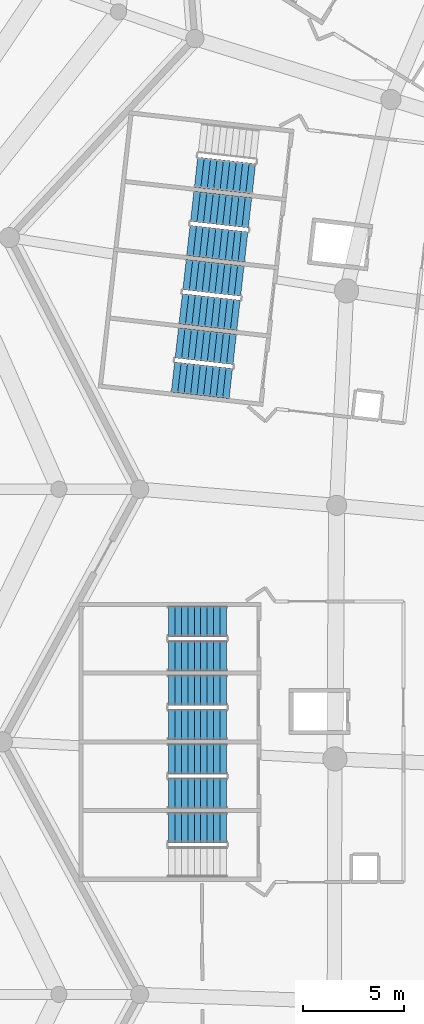
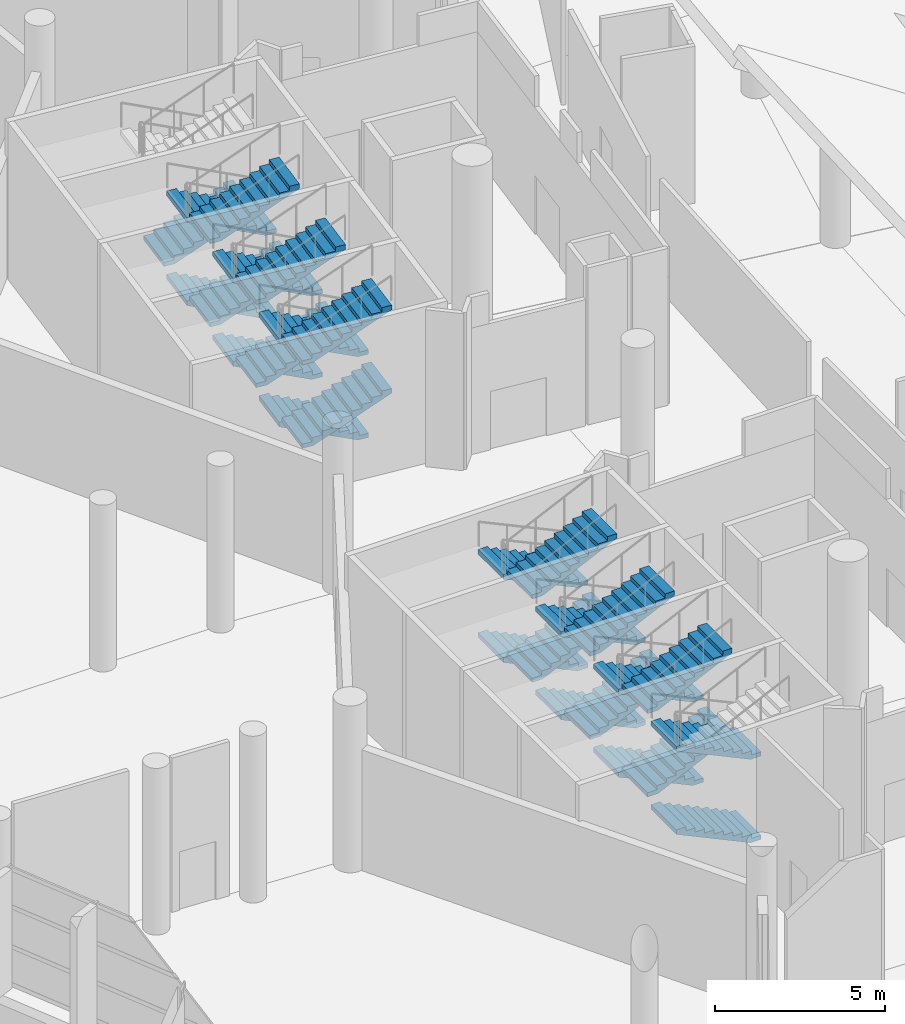
# One storey, part 191 of 249: 27 stair flights, 8 elements without a shape of their own.
"""IFC4 building model written with IfcOpenShell, lengths in metres."""

from ifc_helpers import new_model, si_unit, direction, frame, origin, place, context, subcontext, project, spatial, polyline, outline, extrude, material, type_object, element, aggregate, save


model = new_model("IFC4")

# Units and contexts
model_context = context("Model", 3, precision=1e-05, world=origin(), true_north=direction((0.0, 1.0)))
body_context = subcontext(model_context, "Body", "Model", "MODEL_VIEW")
ifc_project = project(units=[si_unit("LENGTHUNIT", "METRE"), si_unit("AREAUNIT", "SQUARE_METRE"), si_unit("VOLUMEUNIT", "CUBIC_METRE"), si_unit("PLANEANGLEUNIT", "RADIAN"), si_unit("MASSUNIT", "GRAM", prefix="KILO")], contexts=[model_context])

# Site, building, storey
site_placement = place(None, origin())
site = spatial("IfcSite", under=ifc_project, at=site_placement, CompositionType="ELEMENT")
building_placement = place(site_placement, origin())
building = spatial("IfcBuilding", under=site, at=building_placement, Name="Meseta Stadium", CompositionType="ELEMENT")
storey_placement = place(building_placement, frame((0.0, 0.0, 12.0)))
storey = spatial("IfcBuildingStorey", under=building, at=storey_placement, Name="L02", CompositionType="ELEMENT", Elevation=12.0)

# Stair, stair flight
ifc_material_1 = material(Name="Concrete C40/50", Category="concrete")
stair_type = type_object("IfcStairType", Name="Exit stair 4 flights 150 mm risers", PredefinedType="HALF_TURN_STAIR", material=ifc_material_1)
stair_1_placement = place(storey_placement, origin())
stair_1 = element("IfcStair", 1, at=stair_1_placement, inside=storey, type_object=stair_type, Name="ST57 L02", PredefinedType="HALF_TURN_STAIR")
ifc_material_2 = material(Name="Concrete C40/50", Category="concrete")
stair_flight_type = type_object("IfcStairFlightType", Name="Exit stair flight 150 mm risers, 4 per storey", PredefinedType="STRAIGHT", material=ifc_material_2)
stair_flight_1_placement = place(storey_placement, frame((-91.811279296875, 59.4384765625, 1.5), z_axis=(0.0, 0.0, 1.0), x_axis=(0.993712210731, -0.11196446867, 0.0)))
stair_flight_1 = element("IfcStairFlight", 2, at=stair_flight_1_placement, type_object=stair_flight_type, Name="ST57 L02 flight 2", NumberOfRisers=10, NumberOfTreads=9, PredefinedType="STRAIGHT", RiserHeight=0.15, TreadLength=0.32, context=body_context, shape_type="SweptSolid", body=[
    extrude(outline(polyline([(0.0, 0.0), (0.0, 0.14990234375), (0.320068359375, 0.14990234375), (0.320068359375, 0.300048828125), (0.639892578125, 0.300048828125), (0.639892578125, 0.449951171875), (0.9599609375, 0.449951171875), (0.9599609375, 0.60009765625), (1.280029296875, 0.60009765625), (1.280029296875, 0.75), (1.60009765625, 0.75), (1.60009765625, 0.89990234375), (1.919921875, 0.89990234375), (1.919921875, 1.050048828125), (2.239990234375, 1.050048828125), (2.239990234375, 1.199951171875), (2.56005859375, 1.199951171875), (2.56005859375, 1.35009765625), (2.8798828125, 1.35009765625), (2.8798828125, 1.184326171875), (0.353271484375, 0.0), (0.0, 0.0)])), frame((0.0, 0.75, 0.0), z_axis=(0.0, -1.0, 0.0), x_axis=(1.0, 0.0, 0.0)), (0.0, 0.0, 1.0), 1.5),
])
aggregate(stair_1, [stair_flight_1])

# Stair, stair flights
stair_2_placement = place(storey_placement, origin())
stair_2 = element("IfcStair", 3, at=stair_2_placement, inside=storey, type_object=stair_type, Name="ST58 L02", PredefinedType="HALF_TURN_STAIR")
stair_flight_2_placement = place(storey_placement, frame((-89.1396484375, 57.4267578125, 0.0), z_axis=(0.0, 0.0, 1.0), x_axis=(-0.993712210731, 0.11196446867, 0.0)))
stair_flight_2 = element("IfcStairFlight", 4, at=stair_flight_2_placement, type_object=stair_flight_type, Name="ST58 L02 flight 1", NumberOfRisers=10, NumberOfTreads=9, PredefinedType="STRAIGHT", RiserHeight=0.15, TreadLength=0.32, context=body_context, shape_type="SweptSolid", body=[
    extrude(outline(polyline([(0.0, 0.0), (0.0, 0.14990234375), (0.320068359375, 0.14990234375), (0.320068359375, 0.300048828125), (0.639892578125, 0.300048828125), (0.639892578125, 0.449951171875), (0.9599609375, 0.449951171875), (0.9599609375, 0.60009765625), (1.280029296875, 0.60009765625), (1.280029296875, 0.75), (1.60009765625, 0.75), (1.60009765625, 0.89990234375), (1.919921875, 0.89990234375), (1.919921875, 1.050048828125), (2.239990234375, 1.050048828125), (2.239990234375, 1.199951171875), (2.56005859375, 1.199951171875), (2.56005859375, 1.35009765625), (2.8798828125, 1.35009765625), (2.8798828125, 1.184326171875), (0.353271484375, 0.0), (0.0, 0.0)])), frame((0.0, 0.75, 0.0), z_axis=(0.0, -1.0, 0.0), x_axis=(1.0, 0.0, 0.0)), (0.0, 0.0, 1.0), 1.5),
])
stair_flight_3_placement = place(storey_placement, frame((-92.19189453125, 56.06005859375, 1.5), z_axis=(0.0, 0.0, 1.0), x_axis=(0.993712210731, -0.11196446867, 0.0)))
stair_flight_3 = element("IfcStairFlight", 5, at=stair_flight_3_placement, type_object=stair_flight_type, Name="ST58 L02 flight 2", NumberOfRisers=10, NumberOfTreads=9, PredefinedType="STRAIGHT", RiserHeight=0.15, TreadLength=0.32, context=body_context, shape_type="SweptSolid", body=[
    extrude(outline(polyline([(0.0, 0.0), (0.0, 0.14990234375), (0.320068359375, 0.14990234375), (0.320068359375, 0.300048828125), (0.639892578125, 0.300048828125), (0.639892578125, 0.449951171875), (0.9599609375, 0.449951171875), (0.9599609375, 0.60009765625), (1.280029296875, 0.60009765625), (1.280029296875, 0.75), (1.60009765625, 0.75), (1.60009765625, 0.89990234375), (1.919921875, 0.89990234375), (1.919921875, 1.050048828125), (2.239990234375, 1.050048828125), (2.239990234375, 1.199951171875), (2.56005859375, 1.199951171875), (2.56005859375, 1.35009765625), (2.8798828125, 1.35009765625), (2.8798828125, 1.184326171875), (0.353271484375, 0.0), (0.0, 0.0)])), frame((0.0, 0.75, 0.0), z_axis=(0.0, -1.0, 0.0), x_axis=(1.0, 0.0, 0.0)), (0.0, 0.0, 1.0), 1.5),
])
stair_flight_4_placement = place(storey_placement, frame((-89.1396484375, 57.4267578125, 3.0), z_axis=(0.0, 0.0, 1.0), x_axis=(-0.993712210731, 0.11196446867, 0.0)))
stair_flight_4 = element("IfcStairFlight", 6, at=stair_flight_4_placement, type_object=stair_flight_type, Name="ST58 L02 flight 3", NumberOfRisers=10, NumberOfTreads=9, PredefinedType="STRAIGHT", RiserHeight=0.15, TreadLength=0.32, context=body_context, shape_type="SweptSolid", body=[
    extrude(outline(polyline([(0.0, 0.0), (0.0, 0.14990234375), (0.320068359375, 0.14990234375), (0.320068359375, 0.300048828125), (0.639892578125, 0.300048828125), (0.639892578125, 0.449951171875), (0.9599609375, 0.449951171875), (0.9599609375, 0.60009765625), (1.280029296875, 0.60009765625), (1.280029296875, 0.75), (1.60009765625, 0.75), (1.60009765625, 0.89990234375), (1.919921875, 0.89990234375), (1.919921875, 1.050048828125), (2.239990234375, 1.050048828125), (2.239990234375, 1.199951171875), (2.56005859375, 1.199951171875), (2.56005859375, 1.35009765625), (2.8798828125, 1.35009765625), (2.8798828125, 1.184326171875), (0.353271484375, 0.0), (0.0, 0.0)])), frame((0.0, 0.75, 0.0), z_axis=(0.0, -1.0, 0.0), x_axis=(1.0, 0.0, 0.0)), (0.0, 0.0, 1.0), 1.5),
])
stair_flight_5_placement = place(storey_placement, frame((-92.19189453125, 56.06005859375, 4.5), z_axis=(0.0, 0.0, 1.0), x_axis=(0.993712210731, -0.11196446867, 0.0)))
stair_flight_5 = element("IfcStairFlight", 7, at=stair_flight_5_placement, type_object=stair_flight_type, Name="ST58 L02 flight 4", NumberOfRisers=10, NumberOfTreads=9, PredefinedType="STRAIGHT", RiserHeight=0.15, TreadLength=0.32, context=body_context, shape_type="SweptSolid", body=[
    extrude(outline(polyline([(0.0, 0.0), (0.0, 0.14990234375), (0.320068359375, 0.14990234375), (0.320068359375, 0.300048828125), (0.639892578125, 0.300048828125), (0.639892578125, 0.449951171875), (0.9599609375, 0.449951171875), (0.9599609375, 0.60009765625), (1.280029296875, 0.60009765625), (1.280029296875, 0.75), (1.60009765625, 0.75), (1.60009765625, 0.89990234375), (1.919921875, 0.89990234375), (1.919921875, 1.050048828125), (2.239990234375, 1.050048828125), (2.239990234375, 1.199951171875), (2.56005859375, 1.199951171875), (2.56005859375, 1.35009765625), (2.8798828125, 1.35009765625), (2.8798828125, 1.184326171875), (0.353271484375, 0.0), (0.0, 0.0)])), frame((0.0, 0.75, 0.0), z_axis=(0.0, -1.0, 0.0), x_axis=(1.0, 0.0, 0.0)), (0.0, 0.0, 1.0), 1.5),
])
aggregate(stair_2, [stair_flight_2, stair_flight_3, stair_flight_4, stair_flight_5])

stair_3_placement = place(storey_placement, origin())
stair_3 = element("IfcStair", 8, at=stair_3_placement, inside=storey, type_object=stair_type, Name="ST59 L02", PredefinedType="HALF_TURN_STAIR")
stair_flight_6_placement = place(storey_placement, frame((-89.5205078125, 54.048095703125, 0.0), z_axis=(0.0, 0.0, 1.0), x_axis=(-0.993712210731, 0.11196446867, 0.0)))
stair_flight_6 = element("IfcStairFlight", 9, at=stair_flight_6_placement, type_object=stair_flight_type, Name="ST59 L02 flight 1", NumberOfRisers=10, NumberOfTreads=9, PredefinedType="STRAIGHT", RiserHeight=0.15, TreadLength=0.32, context=body_context, shape_type="SweptSolid", body=[
    extrude(outline(polyline([(0.0, 0.0), (0.0, 0.14990234375), (0.320068359375, 0.14990234375), (0.320068359375, 0.300048828125), (0.639892578125, 0.300048828125), (0.639892578125, 0.449951171875), (0.9599609375, 0.449951171875), (0.9599609375, 0.60009765625), (1.280029296875, 0.60009765625), (1.280029296875, 0.75), (1.60009765625, 0.75), (1.60009765625, 0.89990234375), (1.919921875, 0.89990234375), (1.919921875, 1.050048828125), (2.239990234375, 1.050048828125), (2.239990234375, 1.199951171875), (2.56005859375, 1.199951171875), (2.56005859375, 1.35009765625), (2.8798828125, 1.35009765625), (2.8798828125, 1.184326171875), (0.353271484375, 0.0), (0.0, 0.0)])), frame((0.0, 0.75, 0.0), z_axis=(0.0, -1.0, 0.0), x_axis=(1.0, 0.0, 0.0)), (0.0, 0.0, 1.0), 1.5),
])
stair_flight_7_placement = place(storey_placement, frame((-92.572509765625, 52.681396484375, 1.5), z_axis=(0.0, 0.0, 1.0), x_axis=(0.993712210731, -0.11196446867, 0.0)))
stair_flight_7 = element("IfcStairFlight", 10, at=stair_flight_7_placement, type_object=stair_flight_type, Name="ST59 L02 flight 2", NumberOfRisers=10, NumberOfTreads=9, PredefinedType="STRAIGHT", RiserHeight=0.15, TreadLength=0.32, context=body_context, shape_type="SweptSolid", body=[
    extrude(outline(polyline([(0.0, 0.0), (0.0, 0.14990234375), (0.320068359375, 0.14990234375), (0.320068359375, 0.300048828125), (0.639892578125, 0.300048828125), (0.639892578125, 0.449951171875), (0.9599609375, 0.449951171875), (0.9599609375, 0.60009765625), (1.280029296875, 0.60009765625), (1.280029296875, 0.75), (1.60009765625, 0.75), (1.60009765625, 0.89990234375), (1.919921875, 0.89990234375), (1.919921875, 1.050048828125), (2.239990234375, 1.050048828125), (2.239990234375, 1.199951171875), (2.56005859375, 1.199951171875), (2.56005859375, 1.35009765625), (2.8798828125, 1.35009765625), (2.8798828125, 1.184326171875), (0.353271484375, 0.0), (0.0, 0.0)])), frame((0.0, 0.75, 0.0), z_axis=(0.0, -1.0, 0.0), x_axis=(1.0, 0.0, 0.0)), (0.0, 0.0, 1.0), 1.5),
])
stair_flight_8_placement = place(storey_placement, frame((-89.5205078125, 54.048095703125, 3.0), z_axis=(0.0, 0.0, 1.0), x_axis=(-0.993712210731, 0.11196446867, 0.0)))
stair_flight_8 = element("IfcStairFlight", 11, at=stair_flight_8_placement, type_object=stair_flight_type, Name="ST59 L02 flight 3", NumberOfRisers=10, NumberOfTreads=9, PredefinedType="STRAIGHT", RiserHeight=0.15, TreadLength=0.32, context=body_context, shape_type="SweptSolid", body=[
    extrude(outline(polyline([(0.0, 0.0), (0.0, 0.14990234375), (0.320068359375, 0.14990234375), (0.320068359375, 0.300048828125), (0.639892578125, 0.300048828125), (0.639892578125, 0.449951171875), (0.9599609375, 0.449951171875), (0.9599609375, 0.60009765625), (1.280029296875, 0.60009765625), (1.280029296875, 0.75), (1.60009765625, 0.75), (1.60009765625, 0.89990234375), (1.919921875, 0.89990234375), (1.919921875, 1.050048828125), (2.239990234375, 1.050048828125), (2.239990234375, 1.199951171875), (2.56005859375, 1.199951171875), (2.56005859375, 1.35009765625), (2.8798828125, 1.35009765625), (2.8798828125, 1.184326171875), (0.353271484375, 0.0), (0.0, 0.0)])), frame((0.0, 0.75, 0.0), z_axis=(0.0, -1.0, 0.0), x_axis=(1.0, 0.0, 0.0)), (0.0, 0.0, 1.0), 1.5),
])
stair_flight_9_placement = place(storey_placement, frame((-92.572509765625, 52.681396484375, 4.5), z_axis=(0.0, 0.0, 1.0), x_axis=(0.993712210731, -0.11196446867, 0.0)))
stair_flight_9 = element("IfcStairFlight", 12, at=stair_flight_9_placement, type_object=stair_flight_type, Name="ST59 L02 flight 4", NumberOfRisers=10, NumberOfTreads=9, PredefinedType="STRAIGHT", RiserHeight=0.15, TreadLength=0.32, context=body_context, shape_type="SweptSolid", body=[
    extrude(outline(polyline([(0.0, 0.0), (0.0, 0.14990234375), (0.320068359375, 0.14990234375), (0.320068359375, 0.300048828125), (0.639892578125, 0.300048828125), (0.639892578125, 0.449951171875), (0.9599609375, 0.449951171875), (0.9599609375, 0.60009765625), (1.280029296875, 0.60009765625), (1.280029296875, 0.75), (1.60009765625, 0.75), (1.60009765625, 0.89990234375), (1.919921875, 0.89990234375), (1.919921875, 1.050048828125), (2.239990234375, 1.050048828125), (2.239990234375, 1.199951171875), (2.56005859375, 1.199951171875), (2.56005859375, 1.35009765625), (2.8798828125, 1.35009765625), (2.8798828125, 1.184326171875), (0.353271484375, 0.0), (0.0, 0.0)])), frame((0.0, 0.75, 0.0), z_axis=(0.0, -1.0, 0.0), x_axis=(1.0, 0.0, 0.0)), (0.0, 0.0, 1.0), 1.5),
])
aggregate(stair_3, [stair_flight_6, stair_flight_7, stair_flight_8, stair_flight_9])

stair_4_placement = place(storey_placement, origin())
stair_4 = element("IfcStair", 13, at=stair_4_placement, inside=storey, type_object=stair_type, Name="ST60 L02", PredefinedType="HALF_TURN_STAIR")
stair_flight_10_placement = place(storey_placement, frame((-89.901123046875, 50.669677734375, 0.0), z_axis=(0.0, 0.0, 1.0), x_axis=(-0.993712210731, 0.11196446867, 0.0)))
stair_flight_10 = element("IfcStairFlight", 14, at=stair_flight_10_placement, type_object=stair_flight_type, Name="ST60 L02 flight 1", NumberOfRisers=10, NumberOfTreads=9, PredefinedType="STRAIGHT", RiserHeight=0.15, TreadLength=0.32, context=body_context, shape_type="SweptSolid", body=[
    extrude(outline(polyline([(0.0, 0.0), (0.0, 0.14990234375), (0.320068359375, 0.14990234375), (0.320068359375, 0.300048828125), (0.639892578125, 0.300048828125), (0.639892578125, 0.449951171875), (0.9599609375, 0.449951171875), (0.9599609375, 0.60009765625), (1.280029296875, 0.60009765625), (1.280029296875, 0.75), (1.60009765625, 0.75), (1.60009765625, 0.89990234375), (1.919921875, 0.89990234375), (1.919921875, 1.050048828125), (2.239990234375, 1.050048828125), (2.239990234375, 1.199951171875), (2.56005859375, 1.199951171875), (2.56005859375, 1.35009765625), (2.8798828125, 1.35009765625), (2.8798828125, 1.184326171875), (0.353271484375, 0.0), (0.0, 0.0)])), frame((0.0, 0.75, 0.0), z_axis=(0.0, -1.0, 0.0), x_axis=(1.0, 0.0, 0.0)), (0.0, 0.0, 1.0), 1.5),
])
stair_flight_11_placement = place(storey_placement, frame((-92.953369140625, 49.302734375, 1.5), z_axis=(0.0, 0.0, 1.0), x_axis=(0.993712210731, -0.11196446867, 0.0)))
stair_flight_11 = element("IfcStairFlight", 15, at=stair_flight_11_placement, type_object=stair_flight_type, Name="ST60 L02 flight 2", NumberOfRisers=10, NumberOfTreads=9, PredefinedType="STRAIGHT", RiserHeight=0.15, TreadLength=0.32, context=body_context, shape_type="SweptSolid", body=[
    extrude(outline(polyline([(0.0, 0.0), (0.0, 0.14990234375), (0.320068359375, 0.14990234375), (0.320068359375, 0.300048828125), (0.639892578125, 0.300048828125), (0.639892578125, 0.449951171875), (0.9599609375, 0.449951171875), (0.9599609375, 0.60009765625), (1.280029296875, 0.60009765625), (1.280029296875, 0.75), (1.60009765625, 0.75), (1.60009765625, 0.89990234375), (1.919921875, 0.89990234375), (1.919921875, 1.050048828125), (2.239990234375, 1.050048828125), (2.239990234375, 1.199951171875), (2.56005859375, 1.199951171875), (2.56005859375, 1.35009765625), (2.8798828125, 1.35009765625), (2.8798828125, 1.184326171875), (0.353271484375, 0.0), (0.0, 0.0)])), frame((0.0, 0.75, 0.0), z_axis=(0.0, -1.0, 0.0), x_axis=(1.0, 0.0, 0.0)), (0.0, 0.0, 1.0), 1.5),
])
stair_flight_12_placement = place(storey_placement, frame((-89.901123046875, 50.669677734375, 3.0), z_axis=(0.0, 0.0, 1.0), x_axis=(-0.993712210731, 0.11196446867, 0.0)))
stair_flight_12 = element("IfcStairFlight", 16, at=stair_flight_12_placement, type_object=stair_flight_type, Name="ST60 L02 flight 3", NumberOfRisers=10, NumberOfTreads=9, PredefinedType="STRAIGHT", RiserHeight=0.15, TreadLength=0.32, context=body_context, shape_type="SweptSolid", body=[
    extrude(outline(polyline([(0.0, 0.0), (0.0, 0.14990234375), (0.320068359375, 0.14990234375), (0.320068359375, 0.300048828125), (0.639892578125, 0.300048828125), (0.639892578125, 0.449951171875), (0.9599609375, 0.449951171875), (0.9599609375, 0.60009765625), (1.280029296875, 0.60009765625), (1.280029296875, 0.75), (1.60009765625, 0.75), (1.60009765625, 0.89990234375), (1.919921875, 0.89990234375), (1.919921875, 1.050048828125), (2.239990234375, 1.050048828125), (2.239990234375, 1.199951171875), (2.56005859375, 1.199951171875), (2.56005859375, 1.35009765625), (2.8798828125, 1.35009765625), (2.8798828125, 1.184326171875), (0.353271484375, 0.0), (0.0, 0.0)])), frame((0.0, 0.75, 0.0), z_axis=(0.0, -1.0, 0.0), x_axis=(1.0, 0.0, 0.0)), (0.0, 0.0, 1.0), 1.5),
])
stair_flight_13_placement = place(storey_placement, frame((-92.953369140625, 49.302734375, 4.5), z_axis=(0.0, 0.0, 1.0), x_axis=(0.993712210731, -0.11196446867, 0.0)))
stair_flight_13 = element("IfcStairFlight", 17, at=stair_flight_13_placement, type_object=stair_flight_type, Name="ST60 L02 flight 4", NumberOfRisers=10, NumberOfTreads=9, PredefinedType="STRAIGHT", RiserHeight=0.15, TreadLength=0.32, context=body_context, shape_type="SweptSolid", body=[
    extrude(outline(polyline([(0.0, 0.0), (0.0, 0.14990234375), (0.320068359375, 0.14990234375), (0.320068359375, 0.300048828125), (0.639892578125, 0.300048828125), (0.639892578125, 0.449951171875), (0.9599609375, 0.449951171875), (0.9599609375, 0.60009765625), (1.280029296875, 0.60009765625), (1.280029296875, 0.75), (1.60009765625, 0.75), (1.60009765625, 0.89990234375), (1.919921875, 0.89990234375), (1.919921875, 1.050048828125), (2.239990234375, 1.050048828125), (2.239990234375, 1.199951171875), (2.56005859375, 1.199951171875), (2.56005859375, 1.35009765625), (2.8798828125, 1.35009765625), (2.8798828125, 1.184326171875), (0.353271484375, 0.0), (0.0, 0.0)])), frame((0.0, 0.75, 0.0), z_axis=(0.0, -1.0, 0.0), x_axis=(1.0, 0.0, 0.0)), (0.0, 0.0, 1.0), 1.5),
])
aggregate(stair_4, [stair_flight_10, stair_flight_11, stair_flight_12, stair_flight_13])

stair_5_placement = place(storey_placement, origin())
stair_5 = element("IfcStair", 18, at=stair_5_placement, inside=storey, type_object=stair_type, Name="ST61 L02", PredefinedType="HALF_TURN_STAIR")
stair_flight_14_placement = place(storey_placement, frame((-90.300048828125, 37.199951171875, 0.0), z_axis=(0.0, 0.0, 1.0), x_axis=(-1.0, 0.0, 0.0)))
stair_flight_14 = element("IfcStairFlight", 19, at=stair_flight_14_placement, type_object=stair_flight_type, Name="ST61 L02 flight 1", NumberOfRisers=10, NumberOfTreads=9, PredefinedType="STRAIGHT", RiserHeight=0.15, TreadLength=0.32, context=body_context, shape_type="SweptSolid", body=[
    extrude(outline(polyline([(0.0, 0.0), (0.0, 0.14990234375), (0.320068359375, 0.14990234375), (0.320068359375, 0.300048828125), (0.639892578125, 0.300048828125), (0.639892578125, 0.449951171875), (0.9599609375, 0.449951171875), (0.9599609375, 0.60009765625), (1.280029296875, 0.60009765625), (1.280029296875, 0.75), (1.60009765625, 0.75), (1.60009765625, 0.89990234375), (1.919921875, 0.89990234375), (1.919921875, 1.050048828125), (2.239990234375, 1.050048828125), (2.239990234375, 1.199951171875), (2.56005859375, 1.199951171875), (2.56005859375, 1.35009765625), (2.8798828125, 1.35009765625), (2.8798828125, 1.184326171875), (0.353271484375, 0.0), (0.0, 0.0)])), frame((0.0, 0.75, 0.0), z_axis=(0.0, -1.0, 0.0), x_axis=(1.0, 0.0, 0.0)), (0.0, 0.0, 1.0), 1.5),
])
stair_flight_15_placement = place(storey_placement, frame((-93.179931640625, 35.5, 1.5), z_axis=(0.0, 0.0, 1.0), x_axis=(1.0, 0.0, 0.0)))
stair_flight_15 = element("IfcStairFlight", 20, at=stair_flight_15_placement, type_object=stair_flight_type, Name="ST61 L02 flight 2", NumberOfRisers=10, NumberOfTreads=9, PredefinedType="STRAIGHT", RiserHeight=0.15, TreadLength=0.32, context=body_context, shape_type="SweptSolid", body=[
    extrude(outline(polyline([(0.0, 0.0), (0.0, 0.14990234375), (0.320068359375, 0.14990234375), (0.320068359375, 0.300048828125), (0.639892578125, 0.300048828125), (0.639892578125, 0.449951171875), (0.9599609375, 0.449951171875), (0.9599609375, 0.60009765625), (1.280029296875, 0.60009765625), (1.280029296875, 0.75), (1.60009765625, 0.75), (1.60009765625, 0.89990234375), (1.919921875, 0.89990234375), (1.919921875, 1.050048828125), (2.239990234375, 1.050048828125), (2.239990234375, 1.199951171875), (2.56005859375, 1.199951171875), (2.56005859375, 1.35009765625), (2.8798828125, 1.35009765625), (2.8798828125, 1.184326171875), (0.353271484375, 0.0), (0.0, 0.0)])), frame((0.0, 0.75, 0.0), z_axis=(0.0, -1.0, 0.0), x_axis=(1.0, 0.0, 0.0)), (0.0, 0.0, 1.0), 1.5),
])
stair_flight_16_placement = place(storey_placement, frame((-90.300048828125, 37.199951171875, 3.0), z_axis=(0.0, 0.0, 1.0), x_axis=(-1.0, 0.0, 0.0)))
stair_flight_16 = element("IfcStairFlight", 21, at=stair_flight_16_placement, type_object=stair_flight_type, Name="ST61 L02 flight 3", NumberOfRisers=10, NumberOfTreads=9, PredefinedType="STRAIGHT", RiserHeight=0.15, TreadLength=0.32, context=body_context, shape_type="SweptSolid", body=[
    extrude(outline(polyline([(0.0, 0.0), (0.0, 0.14990234375), (0.320068359375, 0.14990234375), (0.320068359375, 0.300048828125), (0.639892578125, 0.300048828125), (0.639892578125, 0.449951171875), (0.9599609375, 0.449951171875), (0.9599609375, 0.60009765625), (1.280029296875, 0.60009765625), (1.280029296875, 0.75), (1.60009765625, 0.75), (1.60009765625, 0.89990234375), (1.919921875, 0.89990234375), (1.919921875, 1.050048828125), (2.239990234375, 1.050048828125), (2.239990234375, 1.199951171875), (2.56005859375, 1.199951171875), (2.56005859375, 1.35009765625), (2.8798828125, 1.35009765625), (2.8798828125, 1.184326171875), (0.353271484375, 0.0), (0.0, 0.0)])), frame((0.0, 0.75, 0.0), z_axis=(0.0, -1.0, 0.0), x_axis=(1.0, 0.0, 0.0)), (0.0, 0.0, 1.0), 1.5),
])
stair_flight_17_placement = place(storey_placement, frame((-93.179931640625, 35.5, 4.5), z_axis=(0.0, 0.0, 1.0), x_axis=(1.0, 0.0, 0.0)))
stair_flight_17 = element("IfcStairFlight", 22, at=stair_flight_17_placement, type_object=stair_flight_type, Name="ST61 L02 flight 4", NumberOfRisers=10, NumberOfTreads=9, PredefinedType="STRAIGHT", RiserHeight=0.15, TreadLength=0.32, context=body_context, shape_type="SweptSolid", body=[
    extrude(outline(polyline([(0.0, 0.0), (0.0, 0.14990234375), (0.320068359375, 0.14990234375), (0.320068359375, 0.300048828125), (0.639892578125, 0.300048828125), (0.639892578125, 0.449951171875), (0.9599609375, 0.449951171875), (0.9599609375, 0.60009765625), (1.280029296875, 0.60009765625), (1.280029296875, 0.75), (1.60009765625, 0.75), (1.60009765625, 0.89990234375), (1.919921875, 0.89990234375), (1.919921875, 1.050048828125), (2.239990234375, 1.050048828125), (2.239990234375, 1.199951171875), (2.56005859375, 1.199951171875), (2.56005859375, 1.35009765625), (2.8798828125, 1.35009765625), (2.8798828125, 1.184326171875), (0.353271484375, 0.0), (0.0, 0.0)])), frame((0.0, 0.75, 0.0), z_axis=(0.0, -1.0, 0.0), x_axis=(1.0, 0.0, 0.0)), (0.0, 0.0, 1.0), 1.5),
])
aggregate(stair_5, [stair_flight_14, stair_flight_15, stair_flight_16, stair_flight_17])

stair_6_placement = place(storey_placement, origin())
stair_6 = element("IfcStair", 23, at=stair_6_placement, inside=storey, type_object=stair_type, Name="ST62 L02", PredefinedType="HALF_TURN_STAIR")
stair_flight_18_placement = place(storey_placement, frame((-90.300048828125, 33.800048828125, 0.0), z_axis=(0.0, 0.0, 1.0), x_axis=(-1.0, 0.0, 0.0)))
stair_flight_18 = element("IfcStairFlight", 24, at=stair_flight_18_placement, type_object=stair_flight_type, Name="ST62 L02 flight 1", NumberOfRisers=10, NumberOfTreads=9, PredefinedType="STRAIGHT", RiserHeight=0.15, TreadLength=0.32, context=body_context, shape_type="SweptSolid", body=[
    extrude(outline(polyline([(0.0, 0.0), (0.0, 0.14990234375), (0.320068359375, 0.14990234375), (0.320068359375, 0.300048828125), (0.639892578125, 0.300048828125), (0.639892578125, 0.449951171875), (0.9599609375, 0.449951171875), (0.9599609375, 0.60009765625), (1.280029296875, 0.60009765625), (1.280029296875, 0.75), (1.60009765625, 0.75), (1.60009765625, 0.89990234375), (1.919921875, 0.89990234375), (1.919921875, 1.050048828125), (2.239990234375, 1.050048828125), (2.239990234375, 1.199951171875), (2.56005859375, 1.199951171875), (2.56005859375, 1.35009765625), (2.8798828125, 1.35009765625), (2.8798828125, 1.184326171875), (0.353271484375, 0.0), (0.0, 0.0)])), frame((0.0, 0.75, 0.0), z_axis=(0.0, -1.0, 0.0), x_axis=(1.0, 0.0, 0.0)), (0.0, 0.0, 1.0), 1.5),
])
stair_flight_19_placement = place(storey_placement, frame((-93.179931640625, 32.10009765625, 1.5), z_axis=(0.0, 0.0, 1.0), x_axis=(1.0, 0.0, 0.0)))
stair_flight_19 = element("IfcStairFlight", 25, at=stair_flight_19_placement, type_object=stair_flight_type, Name="ST62 L02 flight 2", NumberOfRisers=10, NumberOfTreads=9, PredefinedType="STRAIGHT", RiserHeight=0.15, TreadLength=0.32, context=body_context, shape_type="SweptSolid", body=[
    extrude(outline(polyline([(0.0, 0.0), (0.0, 0.14990234375), (0.320068359375, 0.14990234375), (0.320068359375, 0.300048828125), (0.639892578125, 0.300048828125), (0.639892578125, 0.449951171875), (0.9599609375, 0.449951171875), (0.9599609375, 0.60009765625), (1.280029296875, 0.60009765625), (1.280029296875, 0.75), (1.60009765625, 0.75), (1.60009765625, 0.89990234375), (1.919921875, 0.89990234375), (1.919921875, 1.050048828125), (2.239990234375, 1.050048828125), (2.239990234375, 1.199951171875), (2.56005859375, 1.199951171875), (2.56005859375, 1.35009765625), (2.8798828125, 1.35009765625), (2.8798828125, 1.184326171875), (0.353271484375, 0.0), (0.0, 0.0)])), frame((0.0, 0.75, 0.0), z_axis=(0.0, -1.0, 0.0), x_axis=(1.0, 0.0, 0.0)), (0.0, 0.0, 1.0), 1.5),
])
stair_flight_20_placement = place(storey_placement, frame((-90.300048828125, 33.800048828125, 3.0), z_axis=(0.0, 0.0, 1.0), x_axis=(-1.0, 0.0, 0.0)))
stair_flight_20 = element("IfcStairFlight", 26, at=stair_flight_20_placement, type_object=stair_flight_type, Name="ST62 L02 flight 3", NumberOfRisers=10, NumberOfTreads=9, PredefinedType="STRAIGHT", RiserHeight=0.15, TreadLength=0.32, context=body_context, shape_type="SweptSolid", body=[
    extrude(outline(polyline([(0.0, 0.0), (0.0, 0.14990234375), (0.320068359375, 0.14990234375), (0.320068359375, 0.300048828125), (0.639892578125, 0.300048828125), (0.639892578125, 0.449951171875), (0.9599609375, 0.449951171875), (0.9599609375, 0.60009765625), (1.280029296875, 0.60009765625), (1.280029296875, 0.75), (1.60009765625, 0.75), (1.60009765625, 0.89990234375), (1.919921875, 0.89990234375), (1.919921875, 1.050048828125), (2.239990234375, 1.050048828125), (2.239990234375, 1.199951171875), (2.56005859375, 1.199951171875), (2.56005859375, 1.35009765625), (2.8798828125, 1.35009765625), (2.8798828125, 1.184326171875), (0.353271484375, 0.0), (0.0, 0.0)])), frame((0.0, 0.75, 0.0), z_axis=(0.0, -1.0, 0.0), x_axis=(1.0, 0.0, 0.0)), (0.0, 0.0, 1.0), 1.5),
])
stair_flight_21_placement = place(storey_placement, frame((-93.179931640625, 32.10009765625, 4.5), z_axis=(0.0, 0.0, 1.0), x_axis=(1.0, 0.0, 0.0)))
stair_flight_21 = element("IfcStairFlight", 27, at=stair_flight_21_placement, type_object=stair_flight_type, Name="ST62 L02 flight 4", NumberOfRisers=10, NumberOfTreads=9, PredefinedType="STRAIGHT", RiserHeight=0.15, TreadLength=0.32, context=body_context, shape_type="SweptSolid", body=[
    extrude(outline(polyline([(0.0, 0.0), (0.0, 0.14990234375), (0.320068359375, 0.14990234375), (0.320068359375, 0.300048828125), (0.639892578125, 0.300048828125), (0.639892578125, 0.449951171875), (0.9599609375, 0.449951171875), (0.9599609375, 0.60009765625), (1.280029296875, 0.60009765625), (1.280029296875, 0.75), (1.60009765625, 0.75), (1.60009765625, 0.89990234375), (1.919921875, 0.89990234375), (1.919921875, 1.050048828125), (2.239990234375, 1.050048828125), (2.239990234375, 1.199951171875), (2.56005859375, 1.199951171875), (2.56005859375, 1.35009765625), (2.8798828125, 1.35009765625), (2.8798828125, 1.184326171875), (0.353271484375, 0.0), (0.0, 0.0)])), frame((0.0, 0.75, 0.0), z_axis=(0.0, -1.0, 0.0), x_axis=(1.0, 0.0, 0.0)), (0.0, 0.0, 1.0), 1.5),
])
aggregate(stair_6, [stair_flight_18, stair_flight_19, stair_flight_20, stair_flight_21])

stair_7_placement = place(storey_placement, origin())
stair_7 = element("IfcStair", 28, at=stair_7_placement, inside=storey, type_object=stair_type, Name="ST63 L02", PredefinedType="HALF_TURN_STAIR")
stair_flight_22_placement = place(storey_placement, frame((-90.300048828125, 30.39990234375, 0.0), z_axis=(0.0, 0.0, 1.0), x_axis=(-1.0, 0.0, 0.0)))
stair_flight_22 = element("IfcStairFlight", 29, at=stair_flight_22_placement, type_object=stair_flight_type, Name="ST63 L02 flight 1", NumberOfRisers=10, NumberOfTreads=9, PredefinedType="STRAIGHT", RiserHeight=0.15, TreadLength=0.32, context=body_context, shape_type="SweptSolid", body=[
    extrude(outline(polyline([(0.0, 0.0), (0.0, 0.14990234375), (0.320068359375, 0.14990234375), (0.320068359375, 0.300048828125), (0.639892578125, 0.300048828125), (0.639892578125, 0.449951171875), (0.9599609375, 0.449951171875), (0.9599609375, 0.60009765625), (1.280029296875, 0.60009765625), (1.280029296875, 0.75), (1.60009765625, 0.75), (1.60009765625, 0.89990234375), (1.919921875, 0.89990234375), (1.919921875, 1.050048828125), (2.239990234375, 1.050048828125), (2.239990234375, 1.199951171875), (2.56005859375, 1.199951171875), (2.56005859375, 1.35009765625), (2.8798828125, 1.35009765625), (2.8798828125, 1.184326171875), (0.353271484375, 0.0), (0.0, 0.0)])), frame((0.0, 0.75, 0.0), z_axis=(0.0, -1.0, 0.0), x_axis=(1.0, 0.0, 0.0)), (0.0, 0.0, 1.0), 1.5),
])
stair_flight_23_placement = place(storey_placement, frame((-93.179931640625, 28.699951171875, 1.5), z_axis=(0.0, 0.0, 1.0), x_axis=(1.0, 0.0, 0.0)))
stair_flight_23 = element("IfcStairFlight", 30, at=stair_flight_23_placement, type_object=stair_flight_type, Name="ST63 L02 flight 2", NumberOfRisers=10, NumberOfTreads=9, PredefinedType="STRAIGHT", RiserHeight=0.15, TreadLength=0.32, context=body_context, shape_type="SweptSolid", body=[
    extrude(outline(polyline([(0.0, 0.0), (0.0, 0.14990234375), (0.320068359375, 0.14990234375), (0.320068359375, 0.300048828125), (0.639892578125, 0.300048828125), (0.639892578125, 0.449951171875), (0.9599609375, 0.449951171875), (0.9599609375, 0.60009765625), (1.280029296875, 0.60009765625), (1.280029296875, 0.75), (1.60009765625, 0.75), (1.60009765625, 0.89990234375), (1.919921875, 0.89990234375), (1.919921875, 1.050048828125), (2.239990234375, 1.050048828125), (2.239990234375, 1.199951171875), (2.56005859375, 1.199951171875), (2.56005859375, 1.35009765625), (2.8798828125, 1.35009765625), (2.8798828125, 1.184326171875), (0.353271484375, 0.0), (0.0, 0.0)])), frame((0.0, 0.75, 0.0), z_axis=(0.0, -1.0, 0.0), x_axis=(1.0, 0.0, 0.0)), (0.0, 0.0, 1.0), 1.5),
])
stair_flight_24_placement = place(storey_placement, frame((-90.300048828125, 30.39990234375, 3.0), z_axis=(0.0, 0.0, 1.0), x_axis=(-1.0, 0.0, 0.0)))
stair_flight_24 = element("IfcStairFlight", 31, at=stair_flight_24_placement, type_object=stair_flight_type, Name="ST63 L02 flight 3", NumberOfRisers=10, NumberOfTreads=9, PredefinedType="STRAIGHT", RiserHeight=0.15, TreadLength=0.32, context=body_context, shape_type="SweptSolid", body=[
    extrude(outline(polyline([(0.0, 0.0), (0.0, 0.14990234375), (0.320068359375, 0.14990234375), (0.320068359375, 0.300048828125), (0.639892578125, 0.300048828125), (0.639892578125, 0.449951171875), (0.9599609375, 0.449951171875), (0.9599609375, 0.60009765625), (1.280029296875, 0.60009765625), (1.280029296875, 0.75), (1.60009765625, 0.75), (1.60009765625, 0.89990234375), (1.919921875, 0.89990234375), (1.919921875, 1.050048828125), (2.239990234375, 1.050048828125), (2.239990234375, 1.199951171875), (2.56005859375, 1.199951171875), (2.56005859375, 1.35009765625), (2.8798828125, 1.35009765625), (2.8798828125, 1.184326171875), (0.353271484375, 0.0), (0.0, 0.0)])), frame((0.0, 0.75, 0.0), z_axis=(0.0, -1.0, 0.0), x_axis=(1.0, 0.0, 0.0)), (0.0, 0.0, 1.0), 1.5),
])
stair_flight_25_placement = place(storey_placement, frame((-93.179931640625, 28.699951171875, 4.5), z_axis=(0.0, 0.0, 1.0), x_axis=(1.0, 0.0, 0.0)))
stair_flight_25 = element("IfcStairFlight", 32, at=stair_flight_25_placement, type_object=stair_flight_type, Name="ST63 L02 flight 4", NumberOfRisers=10, NumberOfTreads=9, PredefinedType="STRAIGHT", RiserHeight=0.15, TreadLength=0.32, context=body_context, shape_type="SweptSolid", body=[
    extrude(outline(polyline([(0.0, 0.0), (0.0, 0.14990234375), (0.320068359375, 0.14990234375), (0.320068359375, 0.300048828125), (0.639892578125, 0.300048828125), (0.639892578125, 0.449951171875), (0.9599609375, 0.449951171875), (0.9599609375, 0.60009765625), (1.280029296875, 0.60009765625), (1.280029296875, 0.75), (1.60009765625, 0.75), (1.60009765625, 0.89990234375), (1.919921875, 0.89990234375), (1.919921875, 1.050048828125), (2.239990234375, 1.050048828125), (2.239990234375, 1.199951171875), (2.56005859375, 1.199951171875), (2.56005859375, 1.35009765625), (2.8798828125, 1.35009765625), (2.8798828125, 1.184326171875), (0.353271484375, 0.0), (0.0, 0.0)])), frame((0.0, 0.75, 0.0), z_axis=(0.0, -1.0, 0.0), x_axis=(1.0, 0.0, 0.0)), (0.0, 0.0, 1.0), 1.5),
])
aggregate(stair_7, [stair_flight_22, stair_flight_23, stair_flight_24, stair_flight_25])

stair_8_placement = place(storey_placement, origin())
stair_8 = element("IfcStair", 33, at=stair_8_placement, inside=storey, type_object=stair_type, Name="ST64 L02", PredefinedType="HALF_TURN_STAIR")
stair_flight_26_placement = place(storey_placement, frame((-90.300048828125, 27.0, 0.0), z_axis=(0.0, 0.0, 1.0), x_axis=(-1.0, 0.0, 0.0)))
stair_flight_26 = element("IfcStairFlight", 34, at=stair_flight_26_placement, type_object=stair_flight_type, Name="ST64 L02 flight 1", NumberOfRisers=10, NumberOfTreads=9, PredefinedType="STRAIGHT", RiserHeight=0.15, TreadLength=0.32, context=body_context, shape_type="SweptSolid", body=[
    extrude(outline(polyline([(0.0, 0.0), (0.0, 0.14990234375), (0.320068359375, 0.14990234375), (0.320068359375, 0.300048828125), (0.639892578125, 0.300048828125), (0.639892578125, 0.449951171875), (0.9599609375, 0.449951171875), (0.9599609375, 0.60009765625), (1.280029296875, 0.60009765625), (1.280029296875, 0.75), (1.60009765625, 0.75), (1.60009765625, 0.89990234375), (1.919921875, 0.89990234375), (1.919921875, 1.050048828125), (2.239990234375, 1.050048828125), (2.239990234375, 1.199951171875), (2.56005859375, 1.199951171875), (2.56005859375, 1.35009765625), (2.8798828125, 1.35009765625), (2.8798828125, 1.184326171875), (0.353271484375, 0.0), (0.0, 0.0)])), frame((0.0, 0.75, 0.0), z_axis=(0.0, -1.0, 0.0), x_axis=(1.0, 0.0, 0.0)), (0.0, 0.0, 1.0), 1.5),
])
stair_flight_27_placement = place(storey_placement, frame((-90.300048828125, 27.0, 3.0), z_axis=(0.0, 0.0, 1.0), x_axis=(-1.0, 0.0, 0.0)))
stair_flight_27 = element("IfcStairFlight", 35, at=stair_flight_27_placement, type_object=stair_flight_type, Name="ST64 L02 flight 3", NumberOfRisers=10, NumberOfTreads=9, PredefinedType="STRAIGHT", RiserHeight=0.15, TreadLength=0.32, context=body_context, shape_type="SweptSolid", body=[
    extrude(outline(polyline([(0.0, 0.0), (0.0, 0.14990234375), (0.320068359375, 0.14990234375), (0.320068359375, 0.300048828125), (0.639892578125, 0.300048828125), (0.639892578125, 0.449951171875), (0.9599609375, 0.449951171875), (0.9599609375, 0.60009765625), (1.280029296875, 0.60009765625), (1.280029296875, 0.75), (1.60009765625, 0.75), (1.60009765625, 0.89990234375), (1.919921875, 0.89990234375), (1.919921875, 1.050048828125), (2.239990234375, 1.050048828125), (2.239990234375, 1.199951171875), (2.56005859375, 1.199951171875), (2.56005859375, 1.35009765625), (2.8798828125, 1.35009765625), (2.8798828125, 1.184326171875), (0.353271484375, 0.0), (0.0, 0.0)])), frame((0.0, 0.75, 0.0), z_axis=(0.0, -1.0, 0.0), x_axis=(1.0, 0.0, 0.0)), (0.0, 0.0, 1.0), 1.5),
])
aggregate(stair_8, [stair_flight_26, stair_flight_27])

save(model, "model.ifc")
